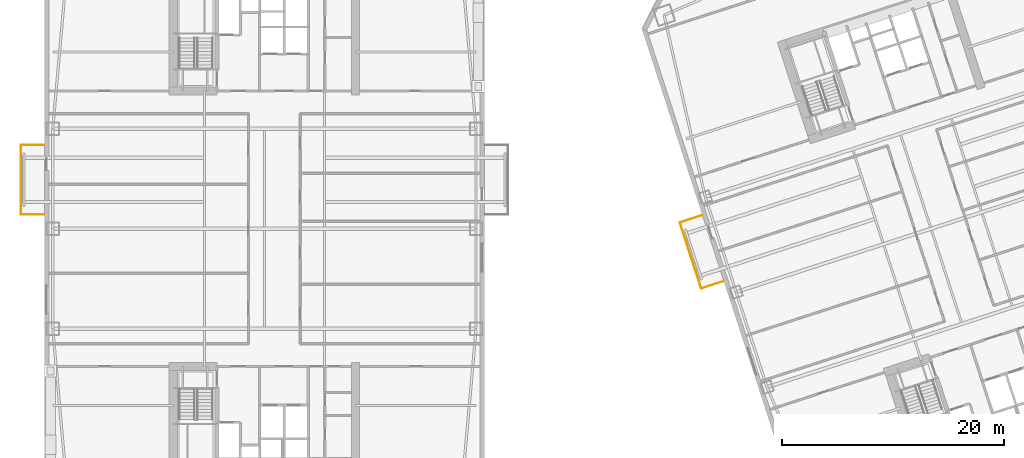
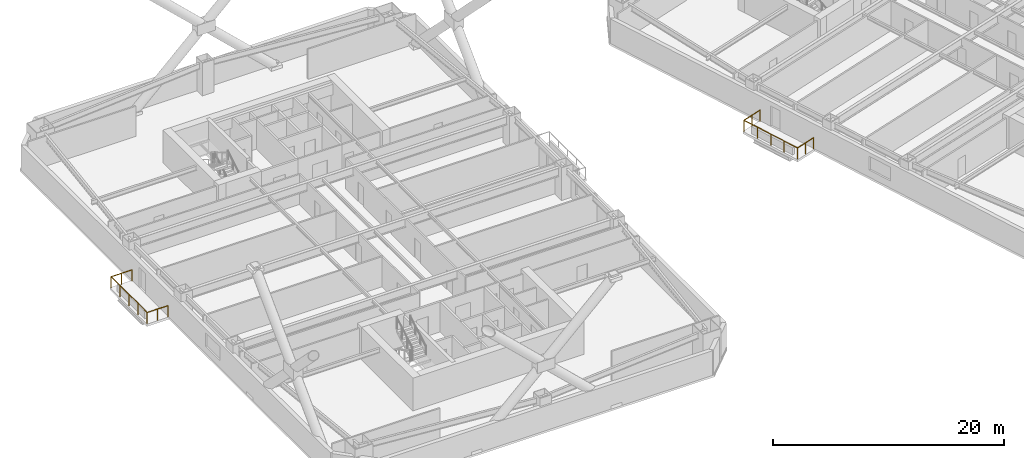
# One storey, part 12 of 15: 2 railings.
"""IFC4 building model written with IfcOpenShell, lengths in metres."""

from ifc_helpers import new_model, si_unit, direction, frame, origin, origin_2d, place, context, subcontext, project, spatial, circle, extrude, material, type_object, element, save


model = new_model("IFC4")

# Units and contexts
model_context = context("Model", 3, precision=1e-05, world=origin(), true_north=direction((0.0, 1.0)))
body_context = subcontext(model_context, "Body", "Model", "MODEL_VIEW")
ifc_project = project(units=[si_unit("LENGTHUNIT", "METRE"), si_unit("AREAUNIT", "SQUARE_METRE"), si_unit("VOLUMEUNIT", "CUBIC_METRE"), si_unit("PLANEANGLEUNIT", "RADIAN"), si_unit("MASSUNIT", "GRAM", prefix="KILO")], contexts=[model_context])

# Site, building, storey
site_placement = place(None, origin())
site = spatial("IfcSite", under=ifc_project, at=site_placement, CompositionType="ELEMENT")
building_placement = place(site_placement, origin())
building = spatial("IfcBuilding", under=site, at=building_placement, Name="Qiaolan Cultural Towers", CompositionType="ELEMENT")
storey_placement = place(building_placement, frame((0.0, 0.0, 71.300048828125)))
storey = spatial("IfcBuildingStorey", under=building, at=storey_placement, Name="L17", CompositionType="ELEMENT", Elevation=71.300048828125)

# Railings
ifc_material = material(Name="Laminated SentryGlas & Stainless Steel S31608 Balustrade", Category="steel")
railing_type = type_object("IfcRailingType", Name="GRD-TERR-1200", PredefinedType="BALUSTRADE", material=ifc_material)
railing_1_placement = place(storey_placement, frame((10.14990234375, 35.280029296875, 0.0)))
element("IfcRailing", 1, at=railing_1_placement, inside=storey, type_object=railing_type, Name="L17 T1 Tree Balcony Guardrail W", PredefinedType="BALUSTRADE", context=body_context, shape_type="SweptSolid", body=[
    extrude(circle(Radius=0.02392578125, at=origin_2d()), frame((0.0, 0.0, 1.17578125), z_axis=(-1.0, 0.0, 0.0), x_axis=(0.0, -1.0, 0.0)), (0.0, 0.0, 1.0), 2.06982421875),
    extrude(circle(Radius=0.02392578125, at=origin_2d()), frame((-2.06982421875, 0.0, 1.17578125), z_axis=(0.0, 1.0, 0.0), x_axis=(-1.0, 0.0, 0.0)), (0.0, 0.0, 1.0), 6.239990234375),
    extrude(circle(Radius=0.02392578125, at=origin_2d()), frame((-2.06982421875, 6.239990234375, 1.17578125), z_axis=(1.0, 0.0, 0.0), x_axis=(0.0, 1.0, 0.0)), (0.0, 0.0, 1.0), 2.06982421875),
    extrude(circle(Radius=0.02099609375, at=origin_2d()), origin(), (0.0, 0.0, 1.0), 1.15185546875),
    extrude(circle(Radius=0.02099609375, at=origin_2d()), frame((-1.034912109375, 0.0, 0.0)), (0.0, 0.0, 1.0), 1.15185546875),
    extrude(circle(Radius=0.02099609375, at=origin_2d()), frame((-2.06982421875, 0.0, 0.0)), (0.0, 0.0, 1.0), 1.15185546875),
    extrude(circle(Radius=0.02099609375, at=origin_2d()), frame((-2.06982421875, 1.56005859375, 0.0)), (0.0, 0.0, 1.0), 1.15185546875),
    extrude(circle(Radius=0.02099609375, at=origin_2d()), frame((-2.06982421875, 3.1201171875, 0.0)), (0.0, 0.0, 1.0), 1.15185546875),
    extrude(circle(Radius=0.02099609375, at=origin_2d()), frame((-2.06982421875, 4.679931640625, 0.0)), (0.0, 0.0, 1.0), 1.15185546875),
    extrude(circle(Radius=0.02099609375, at=origin_2d()), frame((-2.06982421875, 6.239990234375, 0.0)), (0.0, 0.0, 1.0), 1.15185546875),
    extrude(circle(Radius=0.02099609375, at=origin_2d()), frame((-1.034912109375, 6.239990234375, 0.0)), (0.0, 0.0, 1.0), 1.15185546875),
    extrude(circle(Radius=0.02099609375, at=origin_2d()), frame((0.0, 6.239990234375, 0.0)), (0.0, 0.0, 1.0), 1.15185546875),
])
railing_2_placement = place(storey_placement, frame((71.296630859375, 29.268798828125, 0.0)))
element("IfcRailing", 2, at=railing_2_placement, inside=storey, type_object=railing_type, Name="L17 T2 Tree Balcony Guardrail W", PredefinedType="BALUSTRADE", context=body_context, shape_type="SweptSolid", body=[
    extrude(circle(Radius=0.02392578125, at=origin_2d()), frame((0.0, 0.0, 1.17578125), z_axis=(-0.951061799618, -0.309000733507, 0.0), x_axis=(0.309000733507, -0.951061799618, 0.0)), (0.0, 0.0, 1.0), 2.070068359375),
    extrude(circle(Radius=0.02392578125, at=origin_2d()), frame((-1.96875, -0.6396484375, 1.17578125), z_axis=(-0.30901175762, 0.951058217804, 0.0), x_axis=(-0.951058217804, -0.30901175762, 0.0)), (0.0, 0.0, 1.0), 6.239990234375),
    extrude(circle(Radius=0.02392578125, at=origin_2d()), frame((-3.89697265625, 5.294921875, 1.17578125), z_axis=(0.951061799618, 0.309000733507, 0.0), x_axis=(-0.309000733507, 0.951061799618, 0.0)), (0.0, 0.0, 1.0), 2.070068359375),
    extrude(circle(Radius=0.02099609375, at=origin_2d()), origin(), (0.0, 0.0, 1.0), 1.15185546875),
    extrude(circle(Radius=0.02099609375, at=origin_2d()), frame((-0.984375, -0.31982421875, 0.0)), (0.0, 0.0, 1.0), 1.15185546875),
    extrude(circle(Radius=0.02099609375, at=origin_2d()), frame((-1.96875, -0.6396484375, 0.0)), (0.0, 0.0, 1.0), 1.15185546875),
    extrude(circle(Radius=0.02099609375, at=origin_2d()), frame((-2.45068359375, 0.843994140625, 0.0)), (0.0, 0.0, 1.0), 1.15185546875),
    extrude(circle(Radius=0.02099609375, at=origin_2d()), frame((-2.932861328125, 2.32763671875, 0.0)), (0.0, 0.0, 1.0), 1.15185546875),
    extrude(circle(Radius=0.02099609375, at=origin_2d()), frame((-3.4150390625, 3.811279296875, 0.0)), (0.0, 0.0, 1.0), 1.15185546875),
    extrude(circle(Radius=0.02099609375, at=origin_2d()), frame((-3.89697265625, 5.294921875, 0.0)), (0.0, 0.0, 1.0), 1.15185546875),
    extrude(circle(Radius=0.02099609375, at=origin_2d()), frame((-2.91259765625, 5.61474609375, 0.0)), (0.0, 0.0, 1.0), 1.15185546875),
    extrude(circle(Radius=0.02099609375, at=origin_2d()), frame((-1.92822265625, 5.9345703125, 0.0)), (0.0, 0.0, 1.0), 1.15185546875),
])

save(model, "model.ifc")
